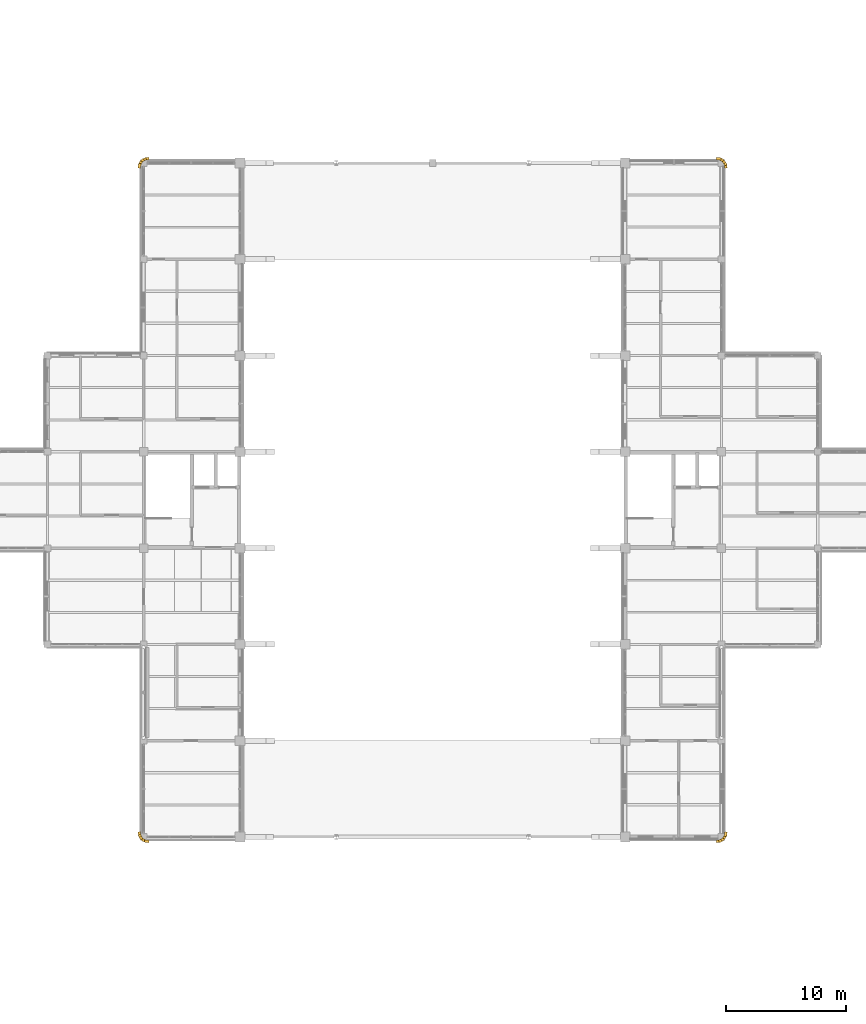
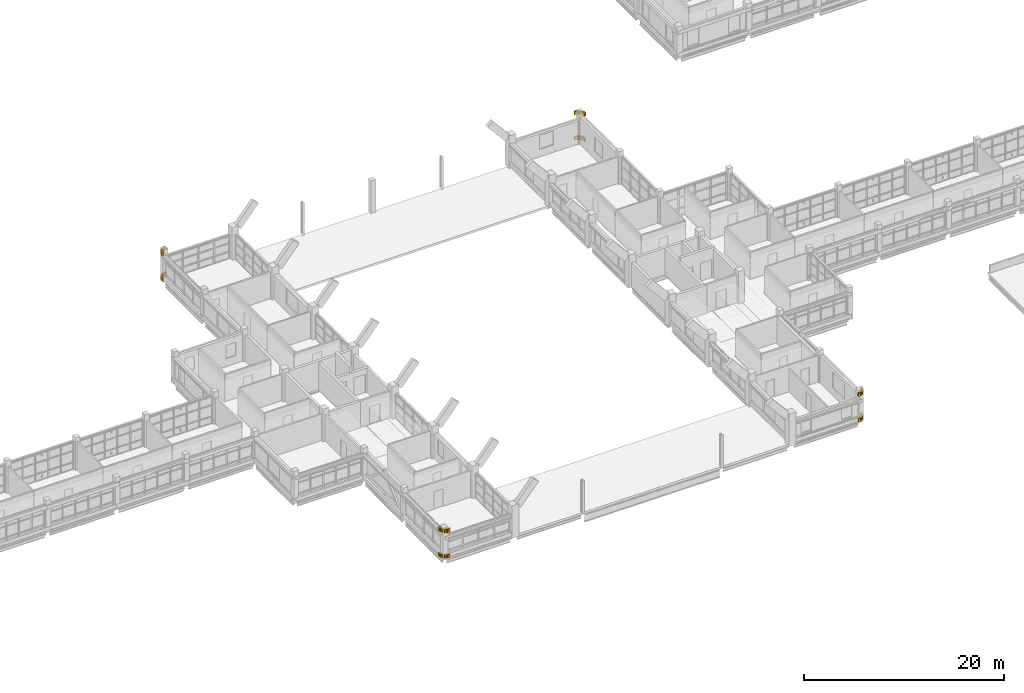
# One storey, part 92 of 92: 40 coverings.
"""IFC4 building model written with IfcOpenShell, lengths in metres."""

from ifc_helpers import new_model, si_unit, derived_unit, direction, frame, origin, origin_2d, place, context, subcontext, project, spatial, rectangle, extrude, material, layer, layer_set, type_object, element, save


model = new_model("IFC4")

# Units and contexts
model_context = context("Model", 3, precision=1e-05, world=origin(), true_north=direction((0.0, 1.0)))
body_context = subcontext(model_context, "Body", "Model", "MODEL_VIEW")
ifc_project = project(units=[si_unit("LENGTHUNIT", "METRE"), si_unit("AREAUNIT", "SQUARE_METRE"), si_unit("VOLUMEUNIT", "CUBIC_METRE"), si_unit("PLANEANGLEUNIT", "RADIAN"), si_unit("MASSUNIT", "GRAM", prefix="KILO"), derived_unit("THERMALTRANSMITTANCEUNIT", [(si_unit("MASSUNIT", "GRAM", prefix="KILO"), 1), (si_unit("TIMEUNIT", "SECOND"), -3), (si_unit("THERMODYNAMICTEMPERATUREUNIT", "KELVIN"), -1)])], contexts=[model_context])

# Site, building, storey
site_placement = place(None, origin())
site = spatial("IfcSite", under=ifc_project, at=site_placement, CompositionType="ELEMENT")
building_placement = place(site_placement, origin())
building = spatial("IfcBuilding", under=site, at=building_placement, Name="Veyamyaing Civic Hall", CompositionType="ELEMENT")
storey_placement = place(building_placement, frame((0.0, 0.0, 17.820068359375)))
storey = spatial("IfcBuildingStorey", under=building, at=storey_placement, Name="L04", CompositionType="ELEMENT", Elevation=17.820068359375)

# Coverings
ifc_material = material(Name="White powder-coated aluminium 6063-T6", Category="aluminium")
ifc_layer = layer(ifc_material, 0.2099609375, Name="White powder-coated aluminium 6063-T6")
ifc_layer_set = layer_set([ifc_layer], Name="White powder-coated aluminium 6063-T6")
covering_type = type_object("IfcCoveringType", Name="CL-03", PredefinedType="CLADDING", material=ifc_layer_set)
for number, where, z_axis, x_axis, name in (
    (1, (63.647705078125, 24.23876953125, 0.25), (0.0, 0.0, 1.0), (0.15643446504, -0.987688340595, 0.0), "Upper main block rounded corner white ribbon CL-03 L04 SW.1.1"),
    (2, (63.647705078125, 24.23876953125, 3.35498046875), (0.0, 0.0, 1.0), (0.15643446504, -0.987688340595, 0.0), "Upper main block rounded corner white ribbon CL-03 L04 SW.1.2"),
    (3, (63.71630859375, 24.027099609375, 0.25), (0.0, 0.0, 1.0), (0.45399049974, -0.891006524188, 0.0), "Upper main block rounded corner white ribbon CL-03 L04 SW.2.1"),
    (4, (63.71630859375, 24.027099609375, 3.35498046875), (0.0, 0.0, 1.0), (0.45399049974, -0.891006524188, 0.0), "Upper main block rounded corner white ribbon CL-03 L04 SW.2.2"),
    (5, (63.84716796875, 23.84716796875, 0.25), (0.0, 0.0, 1.0), (0.707106781187, -0.707106781187, 0.0), "Upper main block rounded corner white ribbon CL-03 L04 SW.3.1"),
    (6, (63.84716796875, 23.84716796875, 3.35498046875), (0.0, 0.0, 1.0), (0.707106781187, -0.707106781187, 0.0), "Upper main block rounded corner white ribbon CL-03 L04 SW.3.2"),
    (7, (64.027099609375, 23.71630859375, 0.25), (0.0, 0.0, 1.0), (0.891006524188, -0.45399049974, 0.0), "Upper main block rounded corner white ribbon CL-03 L04 SW.4.1"),
    (8, (64.027099609375, 23.71630859375, 3.35498046875), (0.0, 0.0, 1.0), (0.891006524188, -0.45399049974, 0.0), "Upper main block rounded corner white ribbon CL-03 L04 SW.4.2"),
    (9, (64.23876953125, 23.647705078125, 0.25), (0.0, 0.0, 1.0), (0.987688340595, -0.15643446504, 0.0), "Upper main block rounded corner white ribbon CL-03 L04 SW.5.1"),
    (10, (64.23876953125, 23.647705078125, 3.35498046875), (0.0, 0.0, 1.0), (0.987688340595, -0.15643446504, 0.0), "Upper main block rounded corner white ribbon CL-03 L04 SW.5.2"),
    (11, (111.76123046875, 23.647705078125, 0.25), (0.0, 0.0, 1.0), (0.987688340595, 0.15643446504, 0.0), "Upper main block rounded corner white ribbon CL-03 L04 SE.1.1"),
    (12, (111.76123046875, 23.647705078125, 3.35498046875), (0.0, 0.0, 1.0), (0.987688340595, 0.15643446504, 0.0), "Upper main block rounded corner white ribbon CL-03 L04 SE.1.2"),
    (13, (111.972900390625, 23.71630859375, 0.25), (0.0, 0.0, 1.0), (0.891006524188, 0.45399049974, 0.0), "Upper main block rounded corner white ribbon CL-03 L04 SE.2.1"),
    (14, (111.972900390625, 23.71630859375, 3.35498046875), (0.0, 0.0, 1.0), (0.891006524188, 0.45399049974, 0.0), "Upper main block rounded corner white ribbon CL-03 L04 SE.2.2"),
    (15, (112.15283203125, 23.84716796875, 0.25), (0.0, 0.0, 1.0), (0.707106781187, 0.707106781187, 0.0), "Upper main block rounded corner white ribbon CL-03 L04 SE.3.1"),
    (16, (112.15283203125, 23.84716796875, 3.35498046875), (0.0, 0.0, 1.0), (0.707106781187, 0.707106781187, 0.0), "Upper main block rounded corner white ribbon CL-03 L04 SE.3.2"),
    (17, (112.28369140625, 24.027099609375, 0.25), (0.0, 0.0, 1.0), (0.45399049974, 0.891006524188, 0.0), "Upper main block rounded corner white ribbon CL-03 L04 SE.4.1"),
    (18, (112.28369140625, 24.027099609375, 3.35498046875), (0.0, 0.0, 1.0), (0.45399049974, 0.891006524188, 0.0), "Upper main block rounded corner white ribbon CL-03 L04 SE.4.2"),
    (19, (112.352294921875, 24.23876953125, 0.25), (0.0, 0.0, 1.0), (0.15643446504, 0.987688340595, 0.0), "Upper main block rounded corner white ribbon CL-03 L04 SE.5.1"),
    (20, (112.352294921875, 24.23876953125, 3.35498046875), (0.0, 0.0, 1.0), (0.15643446504, 0.987688340595, 0.0), "Upper main block rounded corner white ribbon CL-03 L04 SE.5.2"),
    (21, (112.352294921875, 79.76123046875, 0.25), (0.0, 0.0, 1.0), (-0.15643446504, 0.987688340595, 0.0), "Upper main block rounded corner white ribbon CL-03 L04 NE.1.1"),
    (22, (112.352294921875, 79.76123046875, 3.35498046875), (0.0, 0.0, 1.0), (-0.15643446504, 0.987688340595, 0.0), "Upper main block rounded corner white ribbon CL-03 L04 NE.1.2"),
    (23, (112.28369140625, 79.972900390625, 0.25), (0.0, 0.0, 1.0), (-0.45399049974, 0.891006524188, 0.0), "Upper main block rounded corner white ribbon CL-03 L04 NE.2.1"),
    (24, (112.28369140625, 79.972900390625, 3.35498046875), (0.0, 0.0, 1.0), (-0.45399049974, 0.891006524188, 0.0), "Upper main block rounded corner white ribbon CL-03 L04 NE.2.2"),
    (25, (112.15283203125, 80.15283203125, 0.25), (0.0, 0.0, 1.0), (-0.707106781187, 0.707106781187, 0.0), "Upper main block rounded corner white ribbon CL-03 L04 NE.3.1"),
    (26, (112.15283203125, 80.15283203125, 3.35498046875), (0.0, 0.0, 1.0), (-0.707106781187, 0.707106781187, 0.0), "Upper main block rounded corner white ribbon CL-03 L04 NE.3.2"),
    (27, (111.972900390625, 80.28369140625, 0.25), (0.0, 0.0, 1.0), (-0.891006524188, 0.45399049974, 0.0), "Upper main block rounded corner white ribbon CL-03 L04 NE.4.1"),
    (28, (111.972900390625, 80.28369140625, 3.35498046875), (0.0, 0.0, 1.0), (-0.891006524188, 0.45399049974, 0.0), "Upper main block rounded corner white ribbon CL-03 L04 NE.4.2"),
    (29, (111.76123046875, 80.352294921875, 0.25), (0.0, 0.0, 1.0), (-0.987688340595, 0.15643446504, 0.0), "Upper main block rounded corner white ribbon CL-03 L04 NE.5.1"),
    (30, (111.76123046875, 80.352294921875, 3.35498046875), (0.0, 0.0, 1.0), (-0.987688340595, 0.15643446504, 0.0), "Upper main block rounded corner white ribbon CL-03 L04 NE.5.2"),
    (31, (64.23876953125, 80.352294921875, 0.25), (0.0, 0.0, 1.0), (-0.987688340595, -0.15643446504, 0.0), "Upper main block rounded corner white ribbon CL-03 L04 NW.1.1"),
    (32, (64.23876953125, 80.352294921875, 3.35498046875), (0.0, 0.0, 1.0), (-0.987688340595, -0.15643446504, 0.0), "Upper main block rounded corner white ribbon CL-03 L04 NW.1.2"),
    (33, (64.027099609375, 80.28369140625, 0.25), (0.0, 0.0, 1.0), (-0.891006524188, -0.45399049974, 0.0), "Upper main block rounded corner white ribbon CL-03 L04 NW.2.1"),
    (34, (64.027099609375, 80.28369140625, 3.35498046875), (0.0, 0.0, 1.0), (-0.891006524188, -0.45399049974, 0.0), "Upper main block rounded corner white ribbon CL-03 L04 NW.2.2"),
    (35, (63.84716796875, 80.15283203125, 0.25), (0.0, 0.0, 1.0), (-0.707106781187, -0.707106781187, 0.0), "Upper main block rounded corner white ribbon CL-03 L04 NW.3.1"),
    (36, (63.84716796875, 80.15283203125, 3.35498046875), (0.0, 0.0, 1.0), (-0.707106781187, -0.707106781187, 0.0), "Upper main block rounded corner white ribbon CL-03 L04 NW.3.2"),
    (37, (63.71630859375, 79.972900390625, 0.25), (0.0, 0.0, 1.0), (-0.45399049974, -0.891006524188, 0.0), "Upper main block rounded corner white ribbon CL-03 L04 NW.4.1"),
    (38, (63.71630859375, 79.972900390625, 3.35498046875), (0.0, 0.0, 1.0), (-0.45399049974, -0.891006524188, 0.0), "Upper main block rounded corner white ribbon CL-03 L04 NW.4.2"),
    (39, (63.647705078125, 79.76123046875, 0.25), (0.0, 0.0, 1.0), (-0.15643446504, -0.987688340595, 0.0), "Upper main block rounded corner white ribbon CL-03 L04 NW.5.1"),
    (40, (63.647705078125, 79.76123046875, 3.35498046875), (0.0, 0.0, 1.0), (-0.15643446504, -0.987688340595, 0.0), "Upper main block rounded corner white ribbon CL-03 L04 NW.5.2"),
):
    element("IfcCovering", number, at=place(storey_placement, frame(where, z_axis=z_axis, x_axis=x_axis)), inside=storey, type_object=covering_type, Name=name, PredefinedType="CLADDING", context=body_context, shape_type="SweptSolid", body=[
        extrude(rectangle(XDim=0.38525390625, YDim=0.2099609375, at=origin_2d()), origin(), (0.0, 0.0, 1.0), 0.39990234375),
    ])

save(model, "model.ifc")
